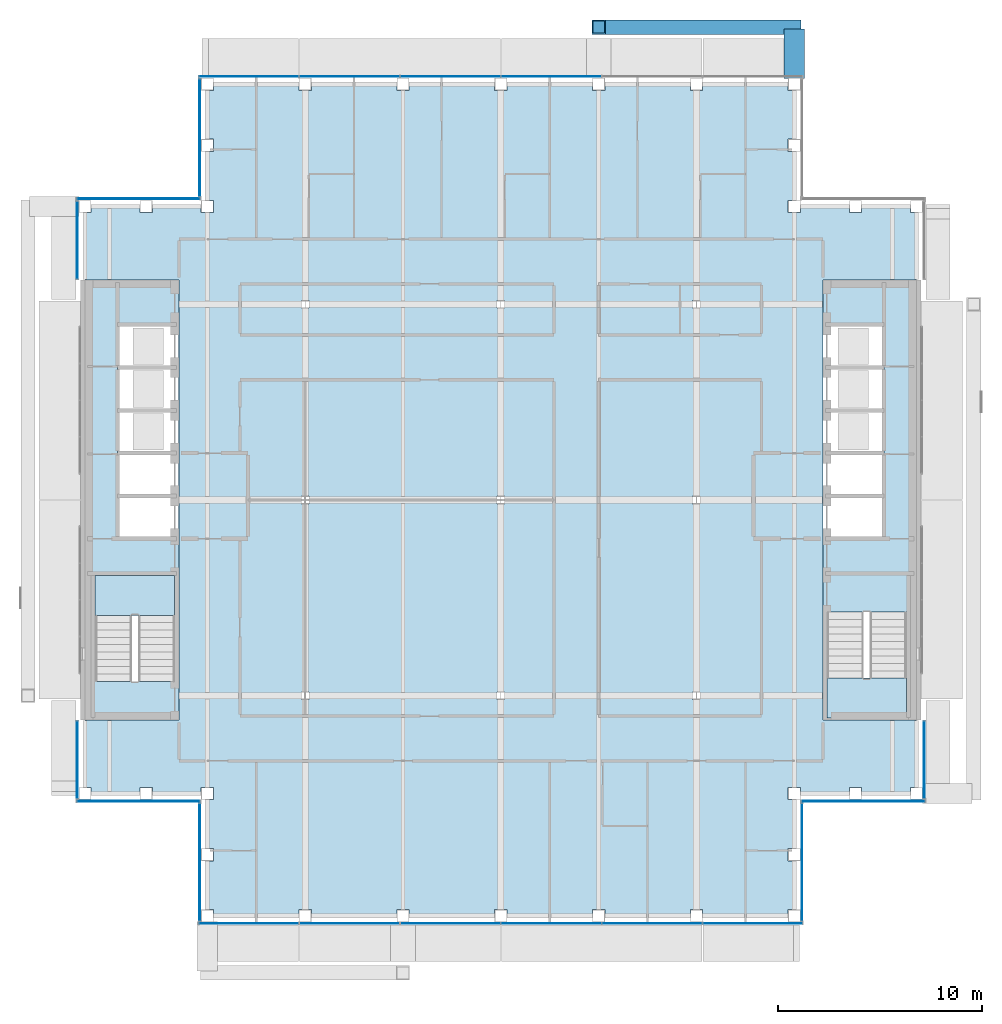
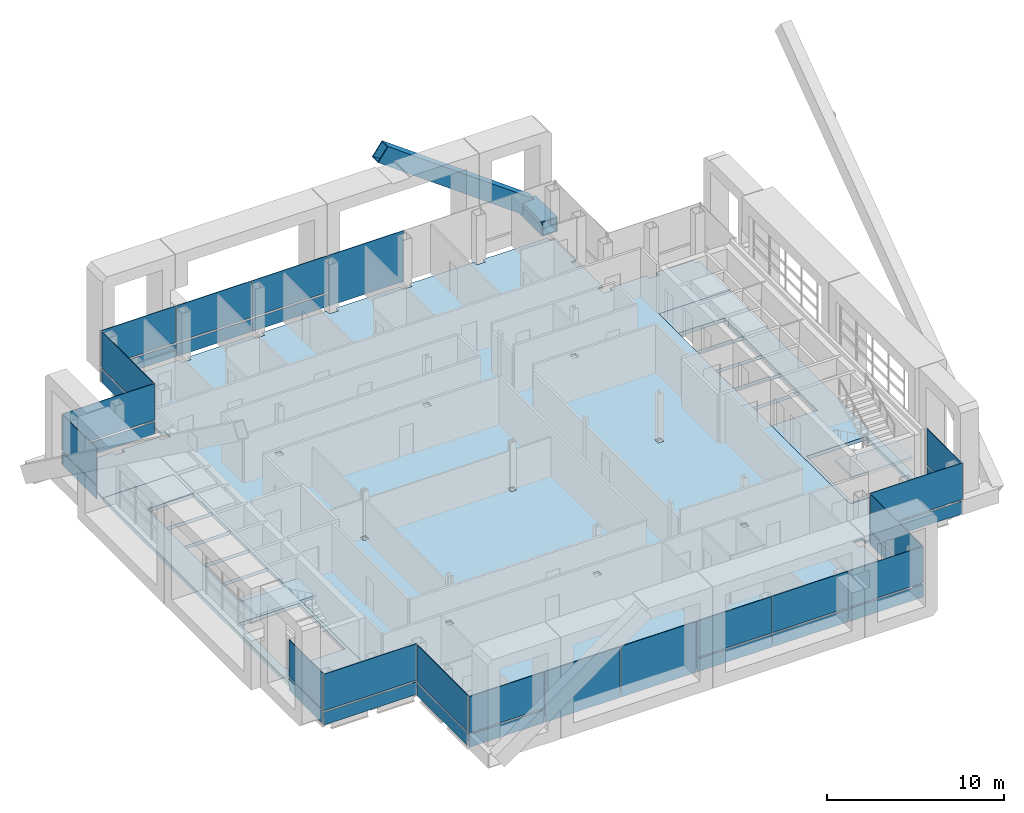
# One storey, part 10 of 23: 35 plates, 5 slabs, 1 beam, 1 member, 13 elements without a shape of their own.
"""IFC4 building model written with IfcOpenShell, lengths in metres."""

from ifc_helpers import new_model, si_unit, direction, frame, origin, origin_2d, place, context, subcontext, project, spatial, polyline, rectangle, hollow_rectangle, outline, extrude, material, layer, layer_set, material_profile, profile_set, type_object, element, aggregate, save


model = new_model("IFC4")

# Units and contexts
model_context = context("Model", 3, precision=1e-05, world=origin(), true_north=direction((0.0, 1.0)))
body_context = subcontext(model_context, "Body", "Model", "MODEL_VIEW")
ifc_project = project(units=[si_unit("LENGTHUNIT", "METRE"), si_unit("AREAUNIT", "SQUARE_METRE"), si_unit("VOLUMEUNIT", "CUBIC_METRE"), si_unit("PLANEANGLEUNIT", "RADIAN"), si_unit("MASSUNIT", "GRAM", prefix="KILO")], contexts=[model_context])

# Site, building, storey
site_placement = place(None, origin())
site = spatial("IfcSite", under=ifc_project, at=site_placement, CompositionType="ELEMENT")
building_placement = place(site_placement, origin())
building = spatial("IfcBuilding", under=site, at=building_placement, Name="Cobrizo Arcos Hotel Tower", CompositionType="ELEMENT")
storey_placement = place(building_placement, frame((0.0, 0.0, 255.0)))
storey = spatial("IfcBuildingStorey", under=building, at=storey_placement, Name="L67", CompositionType="ELEMENT", Elevation=255.0)

# Beam
ifc_material_1 = material(Name="Steel ASTM A572 Grade 50", Category="steel")
ifc_material_profile_1 = material_profile(ifc_material_1, hollow_rectangle(XDim=1.0, YDim=1.0, WallThickness=0.06005859375, at=origin_2d()), Name="BOX 1000X1000X60")
ifc_profile_set_1 = profile_set([ifc_material_profile_1], Name="Steel ASTM A572 Grade 50")
beam_type = type_object("IfcBeamType", Name="BOX 1000X1000X60 brace connector strut", PredefinedType="BEAM", material=ifc_profile_set_1)
beam_placement = place(storey_placement, frame((14.39990234375, 20.68994140625, 0.5), z_axis=(0.0, 1.0, 0.0), x_axis=(-1.0, 0.0, 0.0)))
element("IfcBeam", 1, at=beam_placement, inside=storey, type_object=beam_type, Name="Perimeter brace stub BS1, zone Z5, north face, offset +14.40 m, L67", PredefinedType="BEAM", context=body_context, shape_type="SweptSolid", body=[
    extrude(hollow_rectangle(XDim=1.0, YDim=1.0, WallThickness=0.06005859375, at=origin_2d()), origin(), (0.0, 0.0, 1.0), 2.43017578125),
])

# Member
ifc_material_profile_2 = material_profile(ifc_material_1, hollow_rectangle(XDim=0.699951171875, YDim=1.10009765625, WallThickness=0.06005859375, at=origin_2d()), Name="BOX 700X1100X60")
ifc_profile_set_2 = profile_set([ifc_material_profile_2], Name="Steel ASTM A572 Grade 50")
member_type = type_object("IfcMemberType", Name="BOX 700X1100X60 perimeter brace", PredefinedType="BRACE", material=ifc_profile_set_2)
member_placement = place(storey_placement, frame((14.39990234375, 23.199951171875, 0.5), z_axis=(-0.808003250388, 0.0, 0.589178026884), x_axis=(0.0, -1.0, 0.0)))
element("IfcMember", 2, at=member_placement, inside=storey, type_object=member_type, Name="Perimeter brace PBR5, zone Z5, north face, no. 02", PredefinedType="BRACE", context=body_context, shape_type="SweptSolid", body=[
    extrude(hollow_rectangle(XDim=0.699951171875, YDim=1.10009765625, WallThickness=0.06005859375, at=origin_2d()), origin(), (0.0, 0.0, 1.0), 11.880859375),
])

# Curtain wall, plates
ifc_material_2 = material(Name="Aluminium 6063-T6 anodised bronze", Category="aluminium")
curtain_wall_type = type_object("IfcCurtainWallType", Name="CW-A guest facade", PredefinedType="NOTDEFINED", material=ifc_material_2)
curtain_wall_1_placement = place(storey_placement, origin())
curtain_wall_1 = element("IfcCurtainWall", 3, at=curtain_wall_1_placement, inside=storey, type_object=curtain_wall_type, Name="CW-A L67 S face", PredefinedType="NOTDEFINED")
ifc_material_3 = material(Name="Glass clear laminated low-e", Category="glass")
ifc_layer_1 = layer(ifc_material_3, 0.0400390625)
ifc_layer_set_1 = layer_set([ifc_layer_1], Name="CW-A glass panel")
plate_type_1 = type_object("IfcPlateType", Name="CW-A glass panel", PredefinedType="CURTAIN_PANEL", material=ifc_layer_set_1)
plate_1_placement = place(storey_placement, frame((-12.360107421875, -20.77490234375, 0.990234375), z_axis=(0.0, 0.0, 1.0), x_axis=(1.0, 0.0, 0.0)))
plate_1 = element("IfcPlate", 4, at=plate_1_placement, type_object=plate_type_1, Name="CW-A glass panel 2108", PredefinedType="CURTAIN_PANEL", context=body_context, shape_type="SweptSolid", body=[
    extrude(rectangle(XDim=4.860107421875, YDim=0.0400390625, at=origin_2d()), origin(), (0.0, 0.0, 1.0), 2.510009765625),
])
plate_2_placement = place(storey_placement, frame((2.47509765625, -20.77490234375, 0.990234375), z_axis=(0.0, 0.0, 1.0), x_axis=(1.0, 0.0, 0.0)))
plate_2 = element("IfcPlate", 5, at=plate_2_placement, type_object=plate_type_1, Name="CW-A glass panel 2111", PredefinedType="CURTAIN_PANEL", context=body_context, shape_type="SweptSolid", body=[
    extrude(rectangle(XDim=4.889892578125, YDim=0.0400390625, at=origin_2d()), origin(), (0.0, 0.0, 1.0), 2.510009765625),
])
plate_3_placement = place(storey_placement, frame((7.425048828125, -20.77490234375, 0.990234375), z_axis=(0.0, 0.0, 1.0), x_axis=(1.0, 0.0, 0.0)))
plate_3 = element("IfcPlate", 6, at=plate_3_placement, type_object=plate_type_1, Name="CW-A glass panel 2112", PredefinedType="CURTAIN_PANEL", context=body_context, shape_type="SweptSolid", body=[
    extrude(rectangle(XDim=4.889892578125, YDim=0.0400390625, at=origin_2d()), origin(), (0.0, 0.0, 1.0), 2.510009765625),
])
plate_4_placement = place(storey_placement, frame((12.360107421875, -20.77490234375, 0.990234375), z_axis=(0.0, 0.0, 1.0), x_axis=(1.0, 0.0, 0.0)))
plate_4 = element("IfcPlate", 7, at=plate_4_placement, type_object=plate_type_1, Name="CW-A glass panel 2113", PredefinedType="CURTAIN_PANEL", context=body_context, shape_type="SweptSolid", body=[
    extrude(rectangle(XDim=4.860107421875, YDim=0.0400390625, at=origin_2d()), origin(), (0.0, 0.0, 1.0), 2.510009765625),
])

# Curtain wall, plate
curtain_wall_2_placement = place(storey_placement, origin())
curtain_wall_2 = element("IfcCurtainWall", 8, at=curtain_wall_2_placement, inside=storey, type_object=curtain_wall_type, Name="CW-A L67 E face", PredefinedType="NOTDEFINED")
plate_5_placement = place(storey_placement, frame((14.77490234375, -17.77490234375, 0.990234375), z_axis=(0.0, 0.0, 1.0), x_axis=(0.0, 1.0, 0.0)))
plate_5 = element("IfcPlate", 9, at=plate_5_placement, type_object=plate_type_1, Name="CW-A glass panel 2114", PredefinedType="CURTAIN_PANEL", context=body_context, shape_type="SweptSolid", body=[
    extrude(rectangle(XDim=5.72998046875, YDim=0.0400390625, at=origin_2d()), origin(), (0.0, 0.0, 1.0), 2.510009765625),
])

curtain_wall_3_placement = place(storey_placement, origin())
curtain_wall_3 = element("IfcCurtainWall", 10, at=curtain_wall_3_placement, inside=storey, type_object=curtain_wall_type, Name="CW-A L67 S face", PredefinedType="NOTDEFINED")
plate_6_placement = place(storey_placement, frame((17.77490234375, -14.77490234375, 0.990234375), z_axis=(0.0, 0.0, 1.0), x_axis=(1.0, 0.0, 0.0)))
plate_6 = element("IfcPlate", 11, at=plate_6_placement, type_object=plate_type_1, Name="CW-A glass panel 2115", PredefinedType="CURTAIN_PANEL", context=body_context, shape_type="SweptSolid", body=[
    extrude(rectangle(XDim=6.030029296875, YDim=0.0400390625, at=origin_2d()), origin(), (0.0, 0.0, 1.0), 2.510009765625),
])

curtain_wall_4_placement = place(storey_placement, origin())
curtain_wall_4 = element("IfcCurtainWall", 12, at=curtain_wall_4_placement, inside=storey, type_object=curtain_wall_type, Name="CW-A L67 E face", PredefinedType="NOTDEFINED")
plate_7_placement = place(storey_placement, frame((20.77490234375, -12.75, 0.990234375), z_axis=(0.0, 0.0, 1.0), x_axis=(0.0, 1.0, 0.0)))
plate_7 = element("IfcPlate", 13, at=plate_7_placement, type_object=plate_type_1, Name="CW-A glass panel 2116", PredefinedType="CURTAIN_PANEL", context=body_context, shape_type="SweptSolid", body=[
    extrude(rectangle(XDim=3.780029296875, YDim=0.0400390625, at=origin_2d()), origin(), (0.0, 0.0, 1.0), 2.510009765625),
])

# Curtain wall, plates
curtain_wall_5_placement = place(storey_placement, origin())
curtain_wall_5 = element("IfcCurtainWall", 14, at=curtain_wall_5_placement, inside=storey, type_object=curtain_wall_type, Name="CW-A L67 N face", PredefinedType="NOTDEFINED")
plate_8_placement = place(storey_placement, frame((-2.47509765625, 20.77490234375, 0.990234375), z_axis=(0.0, 0.0, 1.0), x_axis=(-1.0, 0.0, 0.0)))
plate_8 = element("IfcPlate", 15, at=plate_8_placement, type_object=plate_type_1, Name="CW-A glass panel 2123", PredefinedType="CURTAIN_PANEL", context=body_context, shape_type="SweptSolid", body=[
    extrude(rectangle(XDim=4.889892578125, YDim=0.0400390625, at=origin_2d()), origin(), (0.0, 0.0, 1.0), 2.510009765625),
])
plate_9_placement = place(storey_placement, frame((-7.425048828125, 20.77490234375, 0.990234375), z_axis=(0.0, 0.0, 1.0), x_axis=(-1.0, 0.0, 0.0)))
plate_9 = element("IfcPlate", 16, at=plate_9_placement, type_object=plate_type_1, Name="CW-A glass panel 2124", PredefinedType="CURTAIN_PANEL", context=body_context, shape_type="SweptSolid", body=[
    extrude(rectangle(XDim=4.889892578125, YDim=0.0400390625, at=origin_2d()), origin(), (0.0, 0.0, 1.0), 2.510009765625),
])
plate_10_placement = place(storey_placement, frame((-12.360107421875, 20.77490234375, 0.990234375), z_axis=(0.0, 0.0, 1.0), x_axis=(-1.0, 0.0, 0.0)))
plate_10 = element("IfcPlate", 17, at=plate_10_placement, type_object=plate_type_1, Name="CW-A glass panel 2125", PredefinedType="CURTAIN_PANEL", context=body_context, shape_type="SweptSolid", body=[
    extrude(rectangle(XDim=4.860107421875, YDim=0.0400390625, at=origin_2d()), origin(), (0.0, 0.0, 1.0), 2.510009765625),
])

# Curtain wall, plate
curtain_wall_6_placement = place(storey_placement, origin())
curtain_wall_6 = element("IfcCurtainWall", 18, at=curtain_wall_6_placement, inside=storey, type_object=curtain_wall_type, Name="CW-A L67 W face", PredefinedType="NOTDEFINED")
plate_11_placement = place(storey_placement, frame((-14.77490234375, 17.77490234375, 0.990234375), z_axis=(0.0, 0.0, 1.0), x_axis=(0.0, -1.0, 0.0)))
plate_11 = element("IfcPlate", 19, at=plate_11_placement, type_object=plate_type_1, Name="CW-A glass panel 2126", PredefinedType="CURTAIN_PANEL", context=body_context, shape_type="SweptSolid", body=[
    extrude(rectangle(XDim=5.72998046875, YDim=0.0400390625, at=origin_2d()), origin(), (0.0, 0.0, 1.0), 2.510009765625),
])

curtain_wall_7_placement = place(storey_placement, origin())
curtain_wall_7 = element("IfcCurtainWall", 20, at=curtain_wall_7_placement, inside=storey, type_object=curtain_wall_type, Name="CW-A L67 N face", PredefinedType="NOTDEFINED")
plate_12_placement = place(storey_placement, frame((-17.77490234375, 14.77490234375, 0.990234375), z_axis=(0.0, 0.0, 1.0), x_axis=(-1.0, 0.0, 0.0)))
plate_12 = element("IfcPlate", 21, at=plate_12_placement, type_object=plate_type_1, Name="CW-A glass panel 2127", PredefinedType="CURTAIN_PANEL", context=body_context, shape_type="SweptSolid", body=[
    extrude(rectangle(XDim=6.030029296875, YDim=0.0400390625, at=origin_2d()), origin(), (0.0, 0.0, 1.0), 2.510009765625),
])

curtain_wall_8_placement = place(storey_placement, origin())
curtain_wall_8 = element("IfcCurtainWall", 22, at=curtain_wall_8_placement, inside=storey, type_object=curtain_wall_type, Name="CW-A L67 W face", PredefinedType="NOTDEFINED")
plate_13_placement = place(storey_placement, frame((-20.77490234375, 12.75, 0.990234375), z_axis=(0.0, 0.0, 1.0), x_axis=(0.0, -1.0, 0.0)))
plate_13 = element("IfcPlate", 23, at=plate_13_placement, type_object=plate_type_1, Name="CW-A glass panel 2128", PredefinedType="CURTAIN_PANEL", context=body_context, shape_type="SweptSolid", body=[
    extrude(rectangle(XDim=3.780029296875, YDim=0.0400390625, at=origin_2d()), origin(), (0.0, 0.0, 1.0), 2.510009765625),
])

curtain_wall_9_placement = place(storey_placement, origin())
curtain_wall_9 = element("IfcCurtainWall", 24, at=curtain_wall_9_placement, inside=storey, type_object=curtain_wall_type, Name="CW-A L67 W face", PredefinedType="NOTDEFINED")
plate_14_placement = place(storey_placement, frame((-20.77490234375, -12.75, 0.990234375), z_axis=(0.0, 0.0, 1.0), x_axis=(0.0, -1.0, 0.0)))
plate_14 = element("IfcPlate", 25, at=plate_14_placement, type_object=plate_type_1, Name="CW-A glass panel 2129", PredefinedType="CURTAIN_PANEL", context=body_context, shape_type="SweptSolid", body=[
    extrude(rectangle(XDim=3.780029296875, YDim=0.0400390625, at=origin_2d()), origin(), (0.0, 0.0, 1.0), 2.510009765625),
])

curtain_wall_10_placement = place(storey_placement, origin())
curtain_wall_10 = element("IfcCurtainWall", 26, at=curtain_wall_10_placement, inside=storey, type_object=curtain_wall_type, Name="CW-A L67 S face", PredefinedType="NOTDEFINED")
plate_15_placement = place(storey_placement, frame((-17.77490234375, -14.77490234375, 0.990234375), z_axis=(0.0, 0.0, 1.0), x_axis=(1.0, 0.0, 0.0)))
plate_15 = element("IfcPlate", 27, at=plate_15_placement, type_object=plate_type_1, Name="CW-A glass panel 2130", PredefinedType="CURTAIN_PANEL", context=body_context, shape_type="SweptSolid", body=[
    extrude(rectangle(XDim=6.030029296875, YDim=0.0400390625, at=origin_2d()), origin(), (0.0, 0.0, 1.0), 2.510009765625),
])

curtain_wall_11_placement = place(storey_placement, origin())
curtain_wall_11 = element("IfcCurtainWall", 28, at=curtain_wall_11_placement, inside=storey, type_object=curtain_wall_type, Name="CW-A L67 W face", PredefinedType="NOTDEFINED")
plate_16_placement = place(storey_placement, frame((-14.77490234375, -17.77490234375, 0.990234375), z_axis=(0.0, 0.0, 1.0), x_axis=(0.0, -1.0, 0.0)))
plate_16 = element("IfcPlate", 29, at=plate_16_placement, type_object=plate_type_1, Name="CW-A glass panel 2131", PredefinedType="CURTAIN_PANEL", context=body_context, shape_type="SweptSolid", body=[
    extrude(rectangle(XDim=5.72998046875, YDim=0.0400390625, at=origin_2d()), origin(), (0.0, 0.0, 1.0), 2.510009765625),
])

# Plate
ifc_material_4 = material(Name="Aluminium composite panel pale metal", Category="aluminium")
ifc_layer_2 = layer(ifc_material_4, 0.0400390625)
ifc_layer_set_2 = layer_set([ifc_layer_2], Name="CW-A spandrel panel")
plate_type_2 = type_object("IfcPlateType", Name="CW-A spandrel panel", PredefinedType="CURTAIN_PANEL", material=ifc_layer_set_2)
plate_17_placement = place(storey_placement, frame((-12.360107421875, -20.77490234375, 0.0), z_axis=(0.0, 0.0, 1.0), x_axis=(1.0, 0.0, 0.0)))
plate_17 = element("IfcPlate", 30, at=plate_17_placement, type_object=plate_type_2, Name="CW-A spandrel panel 2108", PredefinedType="CURTAIN_PANEL", context=body_context, shape_type="SweptSolid", body=[
    extrude(rectangle(XDim=4.860107421875, YDim=0.0400390625, at=origin_2d()), origin(), (0.0, 0.0, 1.0), 0.8701171875),
])

plate_18_placement = place(storey_placement, frame((-7.425048828125, -20.77490234375, 0.0), z_axis=(0.0, 0.0, 1.0), x_axis=(1.0, 0.0, 0.0)))
plate_18 = element("IfcPlate", 31, at=plate_18_placement, type_object=plate_type_2, Name="CW-A spandrel panel 2109", PredefinedType="CURTAIN_PANEL", context=body_context, shape_type="SweptSolid", body=[
    extrude(rectangle(XDim=4.889892578125, YDim=0.0400390625, at=origin_2d()), origin(), (0.0, 0.0, 1.0), 3.5),
])

plate_19_placement = place(storey_placement, frame((-2.47509765625, -20.77490234375, 0.0), z_axis=(0.0, 0.0, 1.0), x_axis=(1.0, 0.0, 0.0)))
plate_19 = element("IfcPlate", 32, at=plate_19_placement, type_object=plate_type_2, Name="CW-A spandrel panel 2110", PredefinedType="CURTAIN_PANEL", context=body_context, shape_type="SweptSolid", body=[
    extrude(rectangle(XDim=4.889892578125, YDim=0.0400390625, at=origin_2d()), origin(), (0.0, 0.0, 1.0), 3.5),
])

plate_20_placement = place(storey_placement, frame((2.47509765625, -20.77490234375, 0.0), z_axis=(0.0, 0.0, 1.0), x_axis=(1.0, 0.0, 0.0)))
plate_20 = element("IfcPlate", 33, at=plate_20_placement, type_object=plate_type_2, Name="CW-A spandrel panel 2111", PredefinedType="CURTAIN_PANEL", context=body_context, shape_type="SweptSolid", body=[
    extrude(rectangle(XDim=4.889892578125, YDim=0.0400390625, at=origin_2d()), origin(), (0.0, 0.0, 1.0), 0.8701171875),
])

plate_21_placement = place(storey_placement, frame((7.425048828125, -20.77490234375, 0.0), z_axis=(0.0, 0.0, 1.0), x_axis=(1.0, 0.0, 0.0)))
plate_21 = element("IfcPlate", 34, at=plate_21_placement, type_object=plate_type_2, Name="CW-A spandrel panel 2112", PredefinedType="CURTAIN_PANEL", context=body_context, shape_type="SweptSolid", body=[
    extrude(rectangle(XDim=4.889892578125, YDim=0.0400390625, at=origin_2d()), origin(), (0.0, 0.0, 1.0), 0.8701171875),
])

plate_22_placement = place(storey_placement, frame((12.360107421875, -20.77490234375, 0.0), z_axis=(0.0, 0.0, 1.0), x_axis=(1.0, 0.0, 0.0)))
plate_22 = element("IfcPlate", 35, at=plate_22_placement, type_object=plate_type_2, Name="CW-A spandrel panel 2113", PredefinedType="CURTAIN_PANEL", context=body_context, shape_type="SweptSolid", body=[
    extrude(rectangle(XDim=4.860107421875, YDim=0.0400390625, at=origin_2d()), origin(), (0.0, 0.0, 1.0), 0.8701171875),
])

aggregate(curtain_wall_1, [plate_17, plate_1, plate_18, plate_19, plate_20, plate_2, plate_21, plate_3, plate_22, plate_4])

plate_23_placement = place(storey_placement, frame((14.77490234375, -17.77490234375, 0.0), z_axis=(0.0, 0.0, 1.0), x_axis=(0.0, 1.0, 0.0)))
plate_23 = element("IfcPlate", 36, at=plate_23_placement, type_object=plate_type_2, Name="CW-A spandrel panel 2114", PredefinedType="CURTAIN_PANEL", context=body_context, shape_type="SweptSolid", body=[
    extrude(rectangle(XDim=5.72998046875, YDim=0.0400390625, at=origin_2d()), origin(), (0.0, 0.0, 1.0), 0.8701171875),
])

aggregate(curtain_wall_2, [plate_23, plate_5])

plate_24_placement = place(storey_placement, frame((17.77490234375, -14.77490234375, 0.0), z_axis=(0.0, 0.0, 1.0), x_axis=(1.0, 0.0, 0.0)))
plate_24 = element("IfcPlate", 37, at=plate_24_placement, type_object=plate_type_2, Name="CW-A spandrel panel 2115", PredefinedType="CURTAIN_PANEL", context=body_context, shape_type="SweptSolid", body=[
    extrude(rectangle(XDim=6.030029296875, YDim=0.0400390625, at=origin_2d()), origin(), (0.0, 0.0, 1.0), 0.8701171875),
])

aggregate(curtain_wall_3, [plate_24, plate_6])

plate_25_placement = place(storey_placement, frame((20.77490234375, -12.75, 0.0), z_axis=(0.0, 0.0, 1.0), x_axis=(0.0, 1.0, 0.0)))
plate_25 = element("IfcPlate", 38, at=plate_25_placement, type_object=plate_type_2, Name="CW-A spandrel panel 2116", PredefinedType="CURTAIN_PANEL", context=body_context, shape_type="SweptSolid", body=[
    extrude(rectangle(XDim=3.780029296875, YDim=0.0400390625, at=origin_2d()), origin(), (0.0, 0.0, 1.0), 0.8701171875),
])

aggregate(curtain_wall_4, [plate_25, plate_7])

plate_26_placement = place(storey_placement, frame((2.47509765625, 20.77490234375, 0.0), z_axis=(0.0, 0.0, 1.0), x_axis=(-1.0, 0.0, 0.0)))
plate_26 = element("IfcPlate", 39, at=plate_26_placement, type_object=plate_type_2, Name="CW-A spandrel panel 2122", PredefinedType="CURTAIN_PANEL", context=body_context, shape_type="SweptSolid", body=[
    extrude(rectangle(XDim=4.889892578125, YDim=0.0400390625, at=origin_2d()), origin(), (0.0, 0.0, 1.0), 3.5),
])

plate_27_placement = place(storey_placement, frame((-2.47509765625, 20.77490234375, 0.0), z_axis=(0.0, 0.0, 1.0), x_axis=(-1.0, 0.0, 0.0)))
plate_27 = element("IfcPlate", 40, at=plate_27_placement, type_object=plate_type_2, Name="CW-A spandrel panel 2123", PredefinedType="CURTAIN_PANEL", context=body_context, shape_type="SweptSolid", body=[
    extrude(rectangle(XDim=4.889892578125, YDim=0.0400390625, at=origin_2d()), origin(), (0.0, 0.0, 1.0), 0.8701171875),
])

plate_28_placement = place(storey_placement, frame((-7.425048828125, 20.77490234375, 0.0), z_axis=(0.0, 0.0, 1.0), x_axis=(-1.0, 0.0, 0.0)))
plate_28 = element("IfcPlate", 41, at=plate_28_placement, type_object=plate_type_2, Name="CW-A spandrel panel 2124", PredefinedType="CURTAIN_PANEL", context=body_context, shape_type="SweptSolid", body=[
    extrude(rectangle(XDim=4.889892578125, YDim=0.0400390625, at=origin_2d()), origin(), (0.0, 0.0, 1.0), 0.8701171875),
])

plate_29_placement = place(storey_placement, frame((-12.360107421875, 20.77490234375, 0.0), z_axis=(0.0, 0.0, 1.0), x_axis=(-1.0, 0.0, 0.0)))
plate_29 = element("IfcPlate", 42, at=plate_29_placement, type_object=plate_type_2, Name="CW-A spandrel panel 2125", PredefinedType="CURTAIN_PANEL", context=body_context, shape_type="SweptSolid", body=[
    extrude(rectangle(XDim=4.860107421875, YDim=0.0400390625, at=origin_2d()), origin(), (0.0, 0.0, 1.0), 0.8701171875),
])

aggregate(curtain_wall_5, [plate_26, plate_27, plate_8, plate_28, plate_9, plate_29, plate_10])

plate_30_placement = place(storey_placement, frame((-14.77490234375, 17.77490234375, 0.0), z_axis=(0.0, 0.0, 1.0), x_axis=(0.0, -1.0, 0.0)))
plate_30 = element("IfcPlate", 43, at=plate_30_placement, type_object=plate_type_2, Name="CW-A spandrel panel 2126", PredefinedType="CURTAIN_PANEL", context=body_context, shape_type="SweptSolid", body=[
    extrude(rectangle(XDim=5.72998046875, YDim=0.0400390625, at=origin_2d()), origin(), (0.0, 0.0, 1.0), 0.8701171875),
])

aggregate(curtain_wall_6, [plate_30, plate_11])

plate_31_placement = place(storey_placement, frame((-17.77490234375, 14.77490234375, 0.0), z_axis=(0.0, 0.0, 1.0), x_axis=(-1.0, 0.0, 0.0)))
plate_31 = element("IfcPlate", 44, at=plate_31_placement, type_object=plate_type_2, Name="CW-A spandrel panel 2127", PredefinedType="CURTAIN_PANEL", context=body_context, shape_type="SweptSolid", body=[
    extrude(rectangle(XDim=6.030029296875, YDim=0.0400390625, at=origin_2d()), origin(), (0.0, 0.0, 1.0), 0.8701171875),
])

aggregate(curtain_wall_7, [plate_31, plate_12])

plate_32_placement = place(storey_placement, frame((-20.77490234375, 12.75, 0.0), z_axis=(0.0, 0.0, 1.0), x_axis=(0.0, -1.0, 0.0)))
plate_32 = element("IfcPlate", 45, at=plate_32_placement, type_object=plate_type_2, Name="CW-A spandrel panel 2128", PredefinedType="CURTAIN_PANEL", context=body_context, shape_type="SweptSolid", body=[
    extrude(rectangle(XDim=3.780029296875, YDim=0.0400390625, at=origin_2d()), origin(), (0.0, 0.0, 1.0), 0.8701171875),
])

aggregate(curtain_wall_8, [plate_32, plate_13])

plate_33_placement = place(storey_placement, frame((-20.77490234375, -12.75, 0.0), z_axis=(0.0, 0.0, 1.0), x_axis=(0.0, -1.0, 0.0)))
plate_33 = element("IfcPlate", 46, at=plate_33_placement, type_object=plate_type_2, Name="CW-A spandrel panel 2129", PredefinedType="CURTAIN_PANEL", context=body_context, shape_type="SweptSolid", body=[
    extrude(rectangle(XDim=3.780029296875, YDim=0.0400390625, at=origin_2d()), origin(), (0.0, 0.0, 1.0), 0.8701171875),
])

aggregate(curtain_wall_9, [plate_33, plate_14])

plate_34_placement = place(storey_placement, frame((-17.77490234375, -14.77490234375, 0.0), z_axis=(0.0, 0.0, 1.0), x_axis=(1.0, 0.0, 0.0)))
plate_34 = element("IfcPlate", 47, at=plate_34_placement, type_object=plate_type_2, Name="CW-A spandrel panel 2130", PredefinedType="CURTAIN_PANEL", context=body_context, shape_type="SweptSolid", body=[
    extrude(rectangle(XDim=6.030029296875, YDim=0.0400390625, at=origin_2d()), origin(), (0.0, 0.0, 1.0), 0.8701171875),
])

aggregate(curtain_wall_10, [plate_34, plate_15])

plate_35_placement = place(storey_placement, frame((-14.77490234375, -17.77490234375, 0.0), z_axis=(0.0, 0.0, 1.0), x_axis=(0.0, -1.0, 0.0)))
plate_35 = element("IfcPlate", 48, at=plate_35_placement, type_object=plate_type_2, Name="CW-A spandrel panel 2131", PredefinedType="CURTAIN_PANEL", context=body_context, shape_type="SweptSolid", body=[
    extrude(rectangle(XDim=5.72998046875, YDim=0.0400390625, at=origin_2d()), origin(), (0.0, 0.0, 1.0), 0.8701171875),
])

aggregate(curtain_wall_11, [plate_35, plate_16])

# Slabs
ifc_material_5 = material(Name="Concrete f'c 35 MPa", Category="concrete")
ifc_layer_3 = layer(ifc_material_5, 0.14990234375)
ifc_layer_set_3 = layer_set([ifc_layer_3], Name="Composite floor slab 150 f'c 35")
slab_type_1 = type_object("IfcSlabType", Name="Composite floor slab 150 f'c 35", PredefinedType="FLOOR", material=ifc_layer_set_3)
slab_1_placement = place(storey_placement, frame((0.0, 0.0, -0.14990234375)))
element("IfcSlab", 49, at=slab_1_placement, inside=storey, type_object=slab_type_1, Name="Floor slab S5, L67, no. 01", PredefinedType="FLOOR", context=body_context, shape_type="SweptSolid", body=[
    extrude(outline(polyline([(-14.10009765625, -20.39990234375), (-14.10009765625, -20.10009765625), (-14.39990234375, -20.10009765625), (-14.39990234375, -17.699951171875), (-14.10009765625, -17.699951171875), (-14.10009765625, -17.10009765625), (-14.39990234375, -17.10009765625), (-14.39990234375, -14.699951171875), (-14.10009765625, -14.699951171875), (-14.10009765625, -14.10009765625), (-14.699951171875, -14.10009765625), (-14.699951171875, -14.39990234375), (-17.10009765625, -14.39990234375), (-17.10009765625, -14.10009765625), (-17.699951171875, -14.10009765625), (-17.699951171875, -14.39990234375), (-20.10009765625, -14.39990234375), (-20.10009765625, -14.10009765625), (-20.39990234375, -14.10009765625), (-20.39990234375, -10.800048828125), (-15.800048828125, -10.800048828125), (-15.800048828125, 10.800048828125), (-20.39990234375, 10.800048828125), (-20.39990234375, 14.10009765625), (-20.10009765625, 14.10009765625), (-20.10009765625, 14.39990234375), (-17.699951171875, 14.39990234375), (-17.699951171875, 14.10009765625), (-17.10009765625, 14.10009765625), (-17.10009765625, 14.39990234375), (-14.699951171875, 14.39990234375), (-14.699951171875, 14.10009765625), (-14.10009765625, 14.10009765625), (-14.10009765625, 14.699951171875), (-14.39990234375, 14.699951171875), (-14.39990234375, 17.10009765625), (-14.10009765625, 17.10009765625), (-14.10009765625, 17.699951171875), (-14.39990234375, 17.699951171875), (-14.39990234375, 20.10009765625), (-14.10009765625, 20.10009765625), (-14.10009765625, 20.39990234375), (-9.89990234375, 20.39990234375), (-9.89990234375, 20.10009765625), (-9.300048828125, 20.10009765625), (-9.300048828125, 20.39990234375), (-5.10009765625, 20.39990234375), (-5.10009765625, 20.10009765625), (-4.5, 20.10009765625), (-4.5, 20.39990234375), (-0.300048828125, 20.39990234375), (-0.300048828125, 20.10009765625), (0.300048828125, 20.10009765625), (0.300048828125, 20.39990234375), (4.5, 20.39990234375), (4.5, 20.10009765625), (5.10009765625, 20.10009765625), (5.10009765625, 20.39990234375), (9.300048828125, 20.39990234375), (9.300048828125, 20.10009765625), (9.89990234375, 20.10009765625), (9.89990234375, 20.39990234375), (14.10009765625, 20.39990234375), (14.10009765625, 20.10009765625), (14.39990234375, 20.10009765625), (14.39990234375, 17.699951171875), (14.10009765625, 17.699951171875), (14.10009765625, 17.10009765625), (14.39990234375, 17.10009765625), (14.39990234375, 14.699951171875), (14.10009765625, 14.699951171875), (14.10009765625, 14.10009765625), (14.699951171875, 14.10009765625), (14.699951171875, 14.39990234375), (17.10009765625, 14.39990234375), (17.10009765625, 14.10009765625), (17.699951171875, 14.10009765625), (17.699951171875, 14.39990234375), (20.10009765625, 14.39990234375), (20.10009765625, 14.10009765625), (20.39990234375, 14.10009765625), (20.39990234375, 10.800048828125), (15.800048828125, 10.800048828125), (15.800048828125, -10.800048828125), (20.39990234375, -10.800048828125), (20.39990234375, -14.10009765625), (20.10009765625, -14.10009765625), (20.10009765625, -14.39990234375), (17.699951171875, -14.39990234375), (17.699951171875, -14.10009765625), (17.10009765625, -14.10009765625), (17.10009765625, -14.39990234375), (14.699951171875, -14.39990234375), (14.699951171875, -14.10009765625), (14.10009765625, -14.10009765625), (14.10009765625, -14.699951171875), (14.39990234375, -14.699951171875), (14.39990234375, -17.10009765625), (14.10009765625, -17.10009765625), (14.10009765625, -17.699951171875), (14.39990234375, -17.699951171875), (14.39990234375, -20.10009765625), (14.10009765625, -20.10009765625), (14.10009765625, -20.39990234375), (9.89990234375, -20.39990234375), (9.89990234375, -20.10009765625), (9.300048828125, -20.10009765625), (9.300048828125, -20.39990234375), (5.10009765625, -20.39990234375), (5.10009765625, -20.10009765625), (4.5, -20.10009765625), (4.5, -20.39990234375), (0.300048828125, -20.39990234375), (0.300048828125, -20.10009765625), (-0.300048828125, -20.10009765625), (-0.300048828125, -20.39990234375), (-4.5, -20.39990234375), (-4.5, -20.10009765625), (-5.10009765625, -20.10009765625), (-5.10009765625, -20.39990234375), (-9.300048828125, -20.39990234375), (-9.300048828125, -20.10009765625), (-9.89990234375, -20.10009765625), (-9.89990234375, -20.39990234375), (-14.10009765625, -20.39990234375)]), holes=[polyline([(-9.415771484375, -9.7841796875), (-9.415771484375, -9.415771484375), (-9.7841796875, -9.415771484375), (-9.7841796875, -9.7841796875), (-9.415771484375, -9.7841796875)]), polyline([(-9.415771484375, -0.18408203125), (-9.415771484375, 0.18408203125), (-9.7841796875, 0.18408203125), (-9.7841796875, -0.18408203125), (-9.415771484375, -0.18408203125)]), polyline([(-9.7841796875, 9.415771484375), (-9.415771484375, 9.415771484375), (-9.415771484375, 9.7841796875), (-9.7841796875, 9.7841796875), (-9.7841796875, 9.415771484375)]), polyline([(-0.18408203125, -9.7841796875), (0.18408203125, -9.7841796875), (0.18408203125, -9.415771484375), (-0.18408203125, -9.415771484375), (-0.18408203125, -9.7841796875)]), polyline([(9.415771484375, -9.7841796875), (9.7841796875, -9.7841796875), (9.7841796875, -9.415771484375), (9.415771484375, -9.415771484375), (9.415771484375, -9.7841796875)]), polyline([(0.18408203125, -0.18408203125), (0.18408203125, 0.18408203125), (-0.18408203125, 0.18408203125), (-0.18408203125, -0.18408203125), (0.18408203125, -0.18408203125)]), polyline([(9.7841796875, -0.18408203125), (9.7841796875, 0.18408203125), (9.415771484375, 0.18408203125), (9.415771484375, -0.18408203125), (9.7841796875, -0.18408203125)]), polyline([(0.18408203125, 9.415771484375), (0.18408203125, 9.7841796875), (-0.18408203125, 9.7841796875), (-0.18408203125, 9.415771484375), (0.18408203125, 9.415771484375)]), polyline([(9.415771484375, 9.415771484375), (9.7841796875, 9.415771484375), (9.7841796875, 9.7841796875), (9.415771484375, 9.7841796875), (9.415771484375, 9.415771484375)])]), origin(), (0.0, 0.0, 1.0), 0.14990234375),
])
ifc_material_6 = material(Name="Concrete f'c 40 MPa", Category="concrete")
ifc_layer_4 = layer(ifc_material_6, 0.25)
ifc_layer_set_4 = layer_set([ifc_layer_4], Name="RC core floor slab 250 f'c 40")
slab_type_2 = type_object("IfcSlabType", Name="RC core floor slab 250 f'c 40", PredefinedType="FLOOR", material=ifc_layer_set_4)
slab_2_placement = place(storey_placement, frame((0.0, 0.0, -0.25)))
element("IfcSlab", 50, at=slab_2_placement, inside=storey, type_object=slab_type_2, Name="Core floor slab CS7, east core, L67", PredefinedType="FLOOR", context=body_context, shape_type="SweptSolid", body=[
    extrude(outline(polyline([(15.800048828125, 10.800048828125), (20.39990234375, 10.800048828125), (20.39990234375, -10.800048828125), (15.800048828125, -10.800048828125), (15.800048828125, 10.800048828125)]), holes=[polyline([(19.89794921875, -10.697998046875), (19.89794921875, -5.501953125), (16.001953125, -5.501953125), (16.001953125, -10.697998046875), (19.89794921875, -10.697998046875)]), polyline([(15.802001953125, 0.197998046875), (15.802001953125, -1.89794921875), (18.798095703125, -1.89794921875), (18.798095703125, 0.197998046875), (15.802001953125, 0.197998046875)]), polyline([(15.802001953125, 2.298095703125), (15.802001953125, 0.201904296875), (18.798095703125, 0.201904296875), (18.798095703125, 2.298095703125), (15.802001953125, 2.298095703125)]), polyline([(15.802001953125, 4.39794921875), (15.802001953125, 2.302001953125), (18.798095703125, 2.302001953125), (18.798095703125, 4.39794921875), (15.802001953125, 4.39794921875)]), polyline([(18.798095703125, 6.498046875), (15.802001953125, 6.498046875), (15.802001953125, 4.402099609375), (18.798095703125, 4.402099609375), (18.798095703125, 6.498046875)]), polyline([(18.798095703125, 8.597900390625), (15.802001953125, 8.597900390625), (15.802001953125, 6.501953125), (18.798095703125, 6.501953125), (18.798095703125, 8.597900390625)])]), origin(), (0.0, 0.0, 1.0), 0.25),
])
slab_3_placement = place(storey_placement, frame((0.0, 0.0, -0.25)))
element("IfcSlab", 51, at=slab_3_placement, inside=storey, type_object=slab_type_2, Name="Core floor slab CS7, west core, L67", PredefinedType="FLOOR", context=body_context, shape_type="SweptSolid", body=[
    extrude(outline(polyline([(-20.39990234375, 10.800048828125), (-15.800048828125, 10.800048828125), (-15.800048828125, -10.800048828125), (-20.39990234375, -10.800048828125), (-20.39990234375, 10.800048828125)]), holes=[polyline([(-19.89794921875, -3.701904296875), (-19.89794921875, -8.89794921875), (-16.001953125, -8.89794921875), (-16.001953125, -3.701904296875), (-19.89794921875, -3.701904296875)]), polyline([(-18.798095703125, 0.197998046875), (-18.798095703125, -1.89794921875), (-15.802001953125, -1.89794921875), (-15.802001953125, 0.197998046875), (-18.798095703125, 0.197998046875)]), polyline([(-18.798095703125, 2.298095703125), (-18.798095703125, 0.201904296875), (-15.802001953125, 0.201904296875), (-15.802001953125, 2.298095703125), (-18.798095703125, 2.298095703125)]), polyline([(-18.798095703125, 4.39794921875), (-18.798095703125, 2.302001953125), (-15.802001953125, 2.302001953125), (-15.802001953125, 4.39794921875), (-18.798095703125, 4.39794921875)]), polyline([(-15.802001953125, 6.498046875), (-18.798095703125, 6.498046875), (-18.798095703125, 4.402099609375), (-15.802001953125, 4.402099609375), (-15.802001953125, 6.498046875)]), polyline([(-15.802001953125, 8.597900390625), (-18.798095703125, 8.597900390625), (-18.798095703125, 6.501953125), (-15.802001953125, 6.501953125), (-15.802001953125, 8.597900390625)])]), origin(), (0.0, 0.0, 1.0), 0.25),
])

# Stair, slab
stair_type = type_object("IfcStairType", Name="Exit stair", PredefinedType="HALF_TURN_STAIR", material=ifc_material_6)
stair_1_placement = place(storey_placement, origin())
stair_1 = element("IfcStair", 52, at=stair_1_placement, inside=storey, type_object=stair_type, Name="L67 Exit stair ST-W", PredefinedType="HALF_TURN_STAIR")
ifc_layer_5 = layer(ifc_material_6, 0.199951171875)
ifc_layer_set_5 = layer_set([ifc_layer_5], Name="Stair landing")
slab_type_3 = type_object("IfcSlabType", Name="Stair landing", PredefinedType="LANDING", material=ifc_layer_set_5)
slab_4_placement = place(storey_placement, frame((0.0, 0.0, 1.550048828125)))
slab_4 = element("IfcSlab", 53, at=slab_4_placement, type_object=slab_type_3, Name="ST-W landing 1", PredefinedType="LANDING", context=body_context, shape_type="SweptSolid", body=[
    extrude(outline(polyline([(-16.0, -5.659912109375), (-16.0, -3.699951171875), (-19.89990234375, -3.699951171875), (-19.89990234375, -5.659912109375), (-16.0, -5.659912109375)])), origin(), (0.0, 0.0, 1.0), 0.199951171875),
])
aggregate(stair_1, [slab_4])

stair_2_placement = place(storey_placement, origin())
stair_2 = element("IfcStair", 54, at=stair_2_placement, inside=storey, type_object=stair_type, Name="L67 Exit stair ST-E", PredefinedType="HALF_TURN_STAIR")
slab_5_placement = place(storey_placement, frame((0.0, 0.0, 1.550048828125)))
slab_5 = element("IfcSlab", 55, at=slab_5_placement, type_object=slab_type_3, Name="ST-E landing 1", PredefinedType="LANDING", context=body_context, shape_type="SweptSolid", body=[
    extrude(outline(polyline([(16.0, -8.739990234375), (16.0, -10.699951171875), (19.89990234375, -10.699951171875), (19.89990234375, -8.739990234375), (16.0, -8.739990234375)])), origin(), (0.0, 0.0, 1.0), 0.199951171875),
])
aggregate(stair_2, [slab_5])

save(model, "model.ifc")
